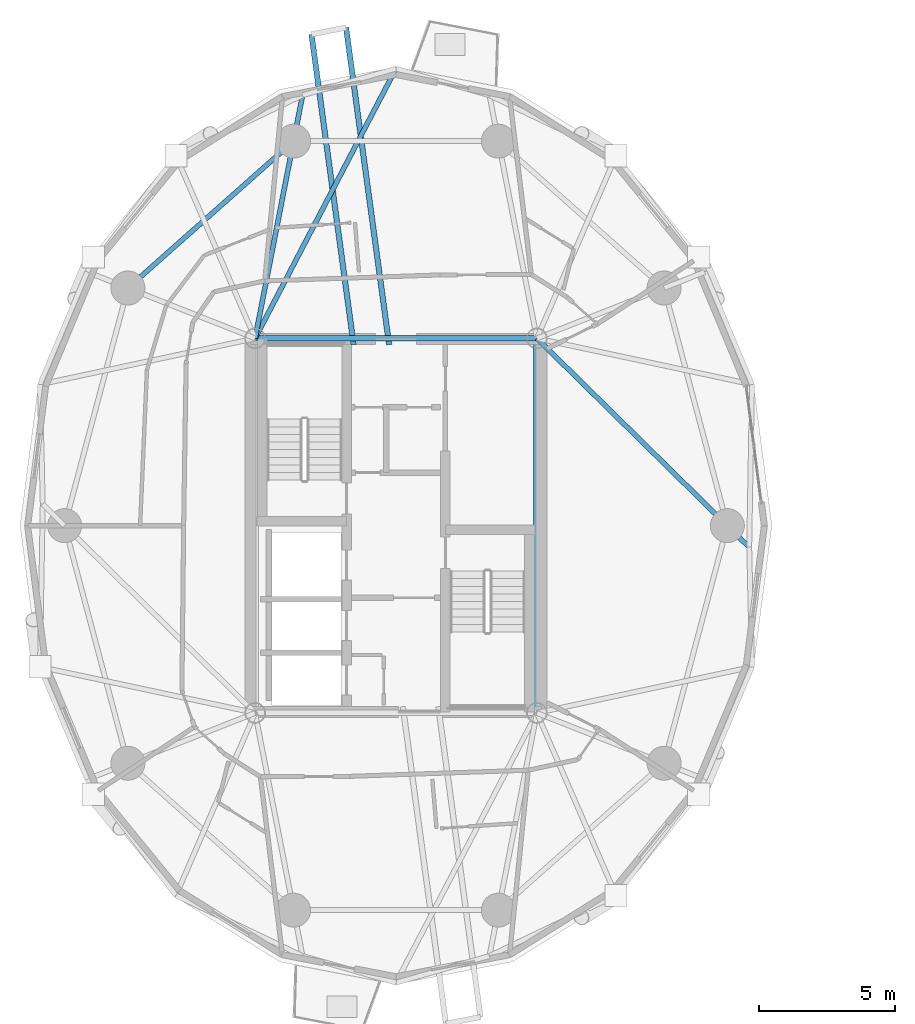
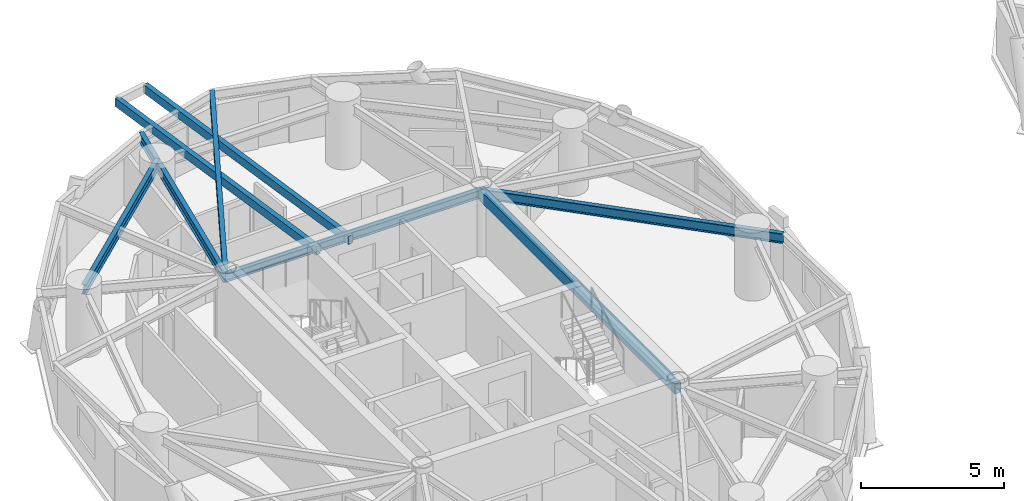
# One storey, part 2 of 19: 8 beams.
"""IFC4 building model written with IfcOpenShell, lengths in metres."""

from ifc_helpers import new_model, si_unit, direction, frame, origin, origin_2d, place, context, subcontext, project, spatial, hollow_rectangle, i_section, extrude, material, material_profile, profile_set, type_object, element, save


model = new_model("IFC4")

# Units and contexts
model_context = context("Model", 3, precision=1e-05, world=origin(), true_north=direction((0.0, 1.0)))
body_context = subcontext(model_context, "Body", "Model", "MODEL_VIEW")
ifc_project = project(units=[si_unit("LENGTHUNIT", "METRE"), si_unit("AREAUNIT", "SQUARE_METRE"), si_unit("VOLUMEUNIT", "CUBIC_METRE"), si_unit("PLANEANGLEUNIT", "RADIAN"), si_unit("MASSUNIT", "GRAM", prefix="KILO")], contexts=[model_context])

# Site, building, storey
site_placement = place(None, origin())
site = spatial("IfcSite", under=ifc_project, at=site_placement, CompositionType="ELEMENT")
building_placement = place(site_placement, origin())
building = spatial("IfcBuilding", under=site, at=building_placement, Name="Cununo Teusaquillo Station Towers", CompositionType="ELEMENT")
storey_placement = place(building_placement, frame((0.0, 0.0, 177.7900390625)))
storey = spatial("IfcBuildingStorey", under=building, at=storey_placement, Name="L56", CompositionType="ELEMENT", Elevation=177.7900390625)

# Beams
ifc_material_1 = material(Name="Steel EN 10025-2 S355J2", Category="steel")
ifc_material_profile_1 = material_profile(ifc_material_1, hollow_rectangle(XDim=0.199951171875, YDim=0.35009765625, WallThickness=0.013916015625, at=origin_2d()), Name="RHS 350x200x14")
ifc_profile_set_1 = profile_set([ifc_material_profile_1], Name="Steel EN 10025-2 S355J2")
beam_type_1 = type_object("IfcBeamType", Name="BM-BAL-CANT", PredefinedType="BEAM", material=ifc_profile_set_1)
beam_1_placement = place(storey_placement, frame((16.248046875, 31.14990234375, 2.514892578125), z_axis=(-0.134615370715, 0.990897927118, 0.0), x_axis=(-0.990897927118, -0.134615370715, 0.0)))
element("IfcBeam", 1, at=beam_1_placement, inside=storey, type_object=beam_type_1, Name="L56 Tower A Balcony Cantilever Bracket 1A", PredefinedType="BEAM", context=body_context, shape_type="SweptSolid", body=[
    extrude(hollow_rectangle(XDim=0.199951171875, YDim=0.35009765625, WallThickness=0.013916015625, at=origin_2d()), origin(), (0.0, 0.0, 1.0), 11.752197265625),
])
beam_2_placement = place(storey_placement, frame((14.94482421875, 31.14990234375, 2.514892578125), z_axis=(-0.134626438315, 0.990896423501, 0.0), x_axis=(-0.990896423501, -0.134626438315, 0.0)))
element("IfcBeam", 2, at=beam_2_placement, inside=storey, type_object=beam_type_1, Name="L56 Tower A Balcony Cantilever Bracket 1B", PredefinedType="BEAM", context=body_context, shape_type="SweptSolid", body=[
    extrude(hollow_rectangle(XDim=0.199951171875, YDim=0.35009765625, WallThickness=0.013916015625, at=origin_2d()), origin(), (0.0, 0.0, 1.0), 11.504638671875),
])
ifc_material_2 = material(Name="Steel EN 10025-2 S355J2", Category="steel")
ifc_material_profile_2 = material_profile(ifc_material_2, hollow_rectangle(XDim=0.25, YDim=0.449951171875, WallThickness=0.01611328125, at=origin_2d()), Name="RHS 450x250x16")
ifc_profile_set_2 = profile_set([ifc_material_profile_2], Name="Steel EN 10025-2 S355J2")
beam_type_2 = type_object("IfcBeamType", Name="BM-COUP-1", PredefinedType="USERDEFINED", material=ifc_profile_set_2)
beam_3_placement = place(storey_placement, frame((21.675048828125, 17.6201171875, 2.46484375), z_axis=(0.0, 1.0, 0.0), x_axis=(-1.0, 0.0, 0.0)))
element("IfcBeam", 3, at=beam_3_placement, inside=storey, type_object=beam_type_2, Name="L56 Tower A Core Beam 2", ObjectType="COUPLING BEAM", PredefinedType="USERDEFINED", context=body_context, shape_type="SweptSolid", body=[
    extrude(hollow_rectangle(XDim=0.25, YDim=0.449951171875, WallThickness=0.01611328125, at=origin_2d()), origin(), (0.0, 0.0, 1.0), 13.759765625),
])
ifc_material_3 = material(Name="Steel ASTM A572 Grade 50", Category="steel")
ifc_material_profile_3 = material_profile(ifc_material_3, i_section(OverallWidth=0.180908203125, OverallDepth=0.4169921875, WebThickness=0.010986328125, FlangeThickness=0.018310546875, FilletRadius=0.012939453125, at=origin_2d()), Name="W16X57")
ifc_profile_set_3 = profile_set([ifc_material_profile_3], Name="Steel ASTM A572 Grade 50")
beam_type_3 = type_object("IfcBeamType", Name="BM-JOIST-1", PredefinedType="JOIST", material=ifc_profile_set_3)
beam_4_placement = place(storey_placement, frame((11.324951171875, 31.3798828125, 2.4814453125), z_axis=(0.462884645231, 0.886418527113, 0.0), x_axis=(-0.886418527113, 0.462884645231, 0.0)))
element("IfcBeam", 4, at=beam_4_placement, inside=storey, type_object=beam_type_3, Name="L56 Tower A Radial Spandrel Joist V05", PredefinedType="JOIST", context=body_context, shape_type="SweptSolid", body=[
    extrude(i_section(OverallWidth=0.180908203125, OverallDepth=0.4169921875, WebThickness=0.010986328125, FlangeThickness=0.018310546875, FilletRadius=0.012939453125, at=origin_2d()), origin(), (0.0, 0.0, 1.0), 11.179931640625),
])
ifc_material_4 = material(Name="Steel ASTM A572 Grade 50", Category="steel")
ifc_material_profile_4 = material_profile(ifc_material_4, i_section(OverallWidth=0.2041015625, OverallDepth=0.35009765625, WebThickness=0.008544921875, FlangeThickness=0.01513671875, FilletRadius=0.011962890625, at=origin_2d()), Name="W14X48")
ifc_profile_set_4 = profile_set([ifc_material_profile_4], Name="Steel ASTM A572 Grade 50")
beam_type_4 = type_object("IfcBeamType", Name="BM-LINTEL-1", PredefinedType="LINTEL", material=ifc_profile_set_4)
beam_5_placement = place(storey_placement, frame((11.324951171875, 31.3798828125, 2.514892578125), z_axis=(1.0, 0.0, 0.0), x_axis=(0.0, 1.0, 0.0)))
element("IfcBeam", 5, at=beam_5_placement, inside=storey, type_object=beam_type_4, Name="L56 Tower A Core Beam 4", PredefinedType="LINTEL", context=body_context, shape_type="SweptSolid", body=[
    extrude(i_section(OverallWidth=0.2041015625, OverallDepth=0.35009765625, WebThickness=0.008544921875, FlangeThickness=0.01513671875, FilletRadius=0.011962890625, at=origin_2d()), origin(), (0.0, 0.0, 1.0), 10.35009765625),
])
ifc_material_5 = material(Name="Steel ASTM A572 Grade 50", Category="steel")
ifc_material_profile_5 = material_profile(ifc_material_5, i_section(OverallWidth=0.180908203125, OverallDepth=0.4169921875, WebThickness=0.010986328125, FlangeThickness=0.018310546875, FilletRadius=0.012939453125, at=origin_2d()), Name="W16X57")
ifc_profile_set_5 = profile_set([ifc_material_profile_5], Name="Steel ASTM A572 Grade 50")
beam_type_5 = type_object("IfcBeamType", Name="BM-RAD-G2", PredefinedType="BEAM", material=ifc_profile_set_5)
beam_6_placement = place(storey_placement, frame((21.675048828125, 31.3798828125, 2.4814453125), z_axis=(0.713051946152, -0.701111205223, 0.0), x_axis=(0.701111205223, 0.713051946152, 0.0)))
element("IfcBeam", 6, at=beam_6_placement, inside=storey, type_object=beam_type_5, Name="L56 Tower A Continuous Overhanging Radial Girder 01", PredefinedType="BEAM", context=body_context, shape_type="SweptSolid", body=[
    extrude(i_section(OverallWidth=0.180908203125, OverallDepth=0.4169921875, WebThickness=0.010986328125, FlangeThickness=0.018310546875, FilletRadius=0.012939453125, at=origin_2d()), origin(), (0.0, 0.0, 1.0), 10.938720703125),
])
beam_7_placement = place(storey_placement, frame((11.324951171875, 31.3798828125, 2.4814453125), z_axis=(0.191557018874, 0.981481486591, 0.0), x_axis=(-0.981481486591, 0.191557018874, 0.0)))
element("IfcBeam", 7, at=beam_7_placement, inside=storey, type_object=beam_type_5, Name="L56 Tower A Continuous Overhanging Radial Girder 04", PredefinedType="BEAM", context=body_context, shape_type="SweptSolid", body=[
    extrude(i_section(OverallWidth=0.180908203125, OverallDepth=0.4169921875, WebThickness=0.010986328125, FlangeThickness=0.018310546875, FilletRadius=0.012939453125, at=origin_2d()), origin(), (0.0, 0.0, 1.0), 9.097412109375),
])
ifc_material_6 = material(Name="Steel ASTM A572 Grade 50", Category="steel")
ifc_material_profile_6 = material_profile(ifc_material_6, i_section(OverallWidth=0.180908203125, OverallDepth=0.4169921875, WebThickness=0.010986328125, FlangeThickness=0.018310546875, FilletRadius=0.012939453125, at=origin_2d()), Name="W16X57")
ifc_profile_set_6 = profile_set([ifc_material_profile_6], Name="Steel ASTM A572 Grade 50")
beam_type_6 = type_object("IfcBeamType", Name="BM-RING-Z3", PredefinedType="SPANDREL", material=ifc_profile_set_6)
beam_8_placement = place(storey_placement, frame((12.738525390625, 38.623291015625, 2.4814453125), z_axis=(-0.74832120039, -0.66333655187, 0.0), x_axis=(0.66333655187, -0.74832120039, 0.0)))
element("IfcBeam", 8, at=beam_8_placement, inside=storey, type_object=beam_type_6, Name="L56 Tower A Structural Column Ring Girder 04", PredefinedType="SPANDREL", context=body_context, shape_type="SweptSolid", body=[
    extrude(i_section(OverallWidth=0.180908203125, OverallDepth=0.4169921875, WebThickness=0.010986328125, FlangeThickness=0.018310546875, FilletRadius=0.012939453125, at=origin_2d()), origin(), (0.0, 0.0, 1.0), 8.1328125),
])

save(model, "model.ifc")
